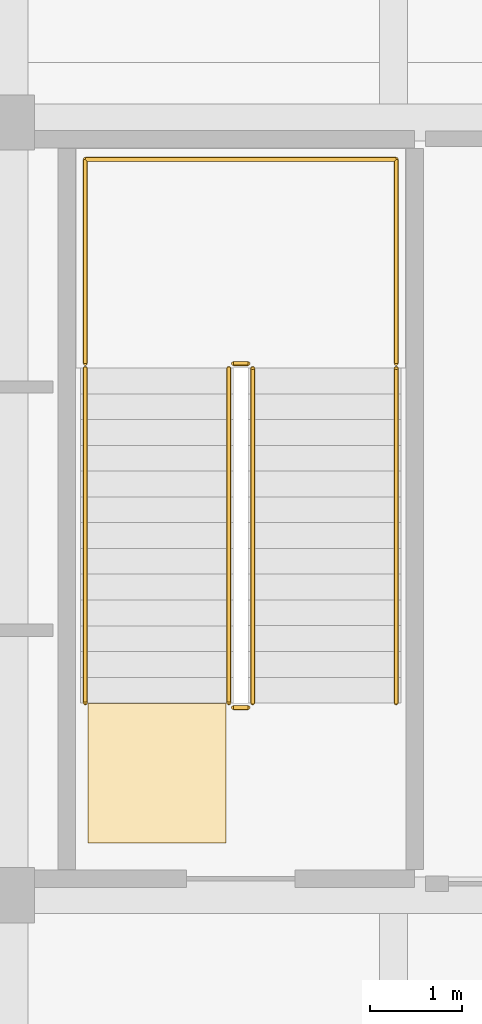
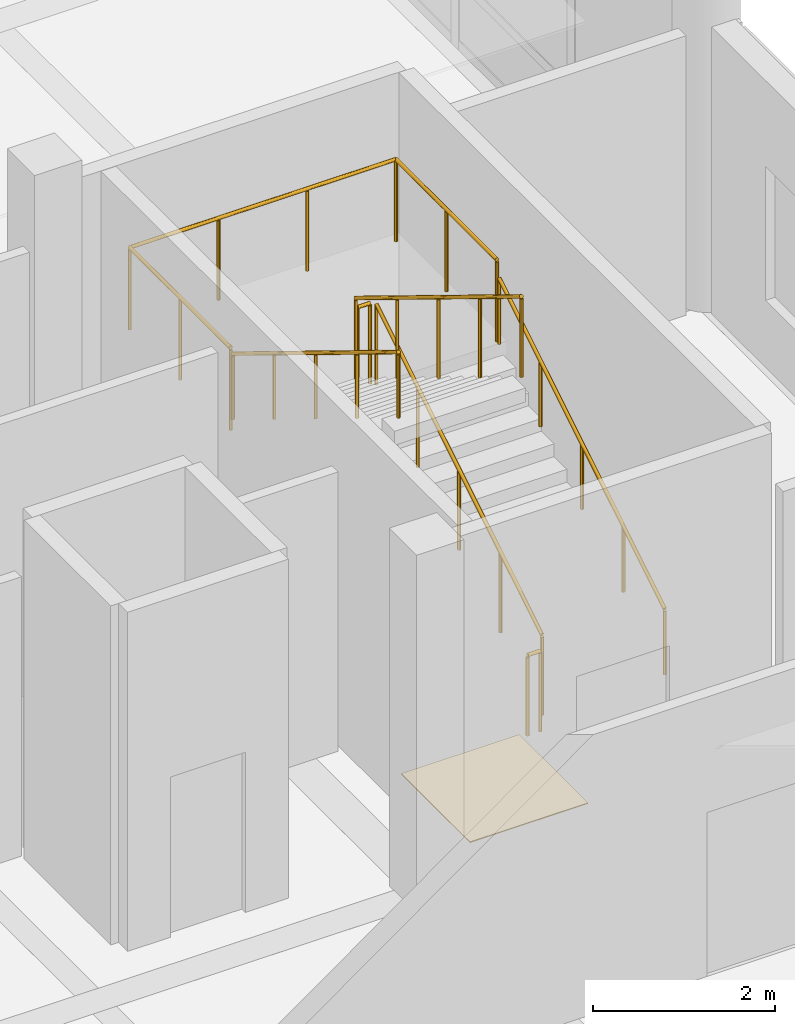
# One storey, part 88 of 122: 7 railings, 1 covering.
"""IFC4 building model written with IfcOpenShell, lengths in metres."""

from ifc_helpers import new_model, si_unit, direction, frame, origin, origin_2d, place, context, subcontext, project, spatial, polyline, circle, outline, extrude, material, layer, layer_set, type_object, element, save


model = new_model("IFC4")

# Units and contexts
model_context = context("Model", 3, precision=1e-05, world=origin(), true_north=direction((0.0, 1.0)))
body_context = subcontext(model_context, "Body", "Model", "MODEL_VIEW")
ifc_project = project(units=[si_unit("LENGTHUNIT", "METRE"), si_unit("AREAUNIT", "SQUARE_METRE"), si_unit("VOLUMEUNIT", "CUBIC_METRE"), si_unit("PLANEANGLEUNIT", "RADIAN"), si_unit("MASSUNIT", "GRAM", prefix="KILO")], contexts=[model_context])

# Site, building, storey
site_placement = place(None, origin())
site = spatial("IfcSite", under=ifc_project, at=site_placement, CompositionType="ELEMENT")
building_placement = place(site_placement, origin())
building = spatial("IfcBuilding", under=site, at=building_placement, Name="Telukmera Botanical Conservatory", CompositionType="ELEMENT")
storey_placement = place(building_placement, frame((0.0, 0.0, 10.199951171875)))
storey = spatial("IfcBuildingStorey", under=building, at=storey_placement, Name="L02", CompositionType="ELEMENT", Elevation=10.199951171875)

# Covering
ifc_material_1 = material(Name="Honed granite non-slip flooring", Category="masonry")
ifc_layer = layer(ifc_material_1, 0.011962890625)
ifc_layer_set = layer_set([ifc_layer], Name="Honed granite non-slip flooring")
covering_type = type_object("IfcCoveringType", Name="COV-FLR-12", PredefinedType="FLOORING", material=ifc_layer_set)
covering_placement = place(storey_placement, origin())
element("IfcCovering", 1, at=covering_placement, inside=storey, type_object=covering_type, Name="L02 ST3 Non-Slip Stair Landing Finish", PredefinedType="FLOORING", context=body_context, shape_type="SweptSolid", body=[
    extrude(outline(polyline([(35.97998046875, 26.570068359375), (35.97998046875, 28.0849609375), (34.47998046875, 28.0849609375), (34.47998046875, 26.570068359375), (35.97998046875, 26.570068359375)])), origin(), (0.0, 0.0, 1.0), 0.011962890625),
])

# Railings
ifc_material_2 = material(Name="Steel S355", Category="steel")
railing_type_1 = type_object("IfcRailingType", Name="RL-GUARD-1100", PredefinedType="GUARDRAIL", material=ifc_material_2)
railing_1_placement = place(storey_placement, frame((36.27001953125, 28.090087890625, 0.17138671875)))
element("IfcRailing", 2, at=railing_1_placement, inside=storey, type_object=railing_type_1, Name="L02 ST3 stair guard 1", PredefinedType="GUARDRAIL", context=body_context, shape_type="SweptSolid", body=[
    extrude(circle(Radius=0.02392578125, at=origin_2d()), frame((0.0, 0.0, 1.076171875), z_axis=(0.0, 0.852824790078, 0.522197163366), x_axis=(-1.0, 0.0, 0.0)), (0.0, 0.0, 1.0), 4.26806640625),
    extrude(circle(Radius=0.02099609375, at=origin_2d()), origin(), (0.0, 0.0, 1.0), 1.052001953125),
    extrude(circle(Radius=0.02099609375, at=origin_2d()), frame((0.0, 0.909912109375, 0.55712890625)), (0.0, 0.0, 1.0), 1.052001953125),
    extrude(circle(Radius=0.02099609375, at=origin_2d()), frame((0.0, 1.81982421875, 1.1142578125)), (0.0, 0.0, 1.0), 1.052001953125),
    extrude(circle(Radius=0.02099609375, at=origin_2d()), frame((0.0, 2.72998046875, 1.671630859375)), (0.0, 0.0, 1.0), 1.052001953125),
    extrude(circle(Radius=0.02099609375, at=origin_2d()), frame((0.0, 3.639892578125, 2.228759765625)), (0.0, 0.0, 1.0), 1.052001953125),
])
railing_2_placement = place(storey_placement, frame((36.219970703125, 31.780029296875, 2.400146484375)))
element("IfcRailing", 3, at=railing_2_placement, inside=storey, type_object=railing_type_1, Name="L02 ST3 stair guard 2", PredefinedType="GUARDRAIL", context=body_context, shape_type="SweptSolid", body=[
    extrude(circle(Radius=0.02392578125, at=origin_2d()), frame((0.0, 0.0, 1.076171875), z_axis=(-1.0, 0.0, 0.0), x_axis=(0.0, -1.0, 0.0)), (0.0, 0.0, 1.0), 0.159912109375),
    extrude(circle(Radius=0.02099609375, at=origin_2d()), origin(), (0.0, 0.0, 1.0), 1.052001953125),
    extrude(circle(Radius=0.02099609375, at=origin_2d()), frame((-0.159912109375, 0.0, 0.0)), (0.0, 0.0, 1.0), 1.052001953125),
])
railing_3_placement = place(storey_placement, frame((36.010009765625, 31.72998046875, 2.571533203125)))
element("IfcRailing", 4, at=railing_3_placement, inside=storey, type_object=railing_type_1, Name="L02 ST3 stair guard 3", PredefinedType="GUARDRAIL", context=body_context, shape_type="SweptSolid", body=[
    extrude(circle(Radius=0.02392578125, at=origin_2d()), frame((0.0, 0.0, 1.076171875), z_axis=(0.0, -0.852850264322, 0.5221555579), x_axis=(1.0, 0.0, 0.0)), (0.0, 0.0, 1.0), 4.267822265625),
    extrude(circle(Radius=0.02099609375, at=origin_2d()), origin(), (0.0, 0.0, 1.0), 1.052001953125),
    extrude(circle(Radius=0.02099609375, at=origin_2d()), frame((0.0, -0.909912109375, 0.55712890625)), (0.0, 0.0, 1.0), 1.052001953125),
    extrude(circle(Radius=0.02099609375, at=origin_2d()), frame((0.0, -1.81982421875, 1.1142578125)), (0.0, 0.0, 1.0), 1.052001953125),
    extrude(circle(Radius=0.02099609375, at=origin_2d()), frame((0.0, -2.72998046875, 1.67138671875)), (0.0, 0.0, 1.0), 1.052001953125),
    extrude(circle(Radius=0.02099609375, at=origin_2d()), frame((0.0, -3.639892578125, 2.228515625)), (0.0, 0.0, 1.0), 1.052001953125),
])
railing_4_placement = place(storey_placement, frame((36.219970703125, 28.0400390625, 0.0)))
element("IfcRailing", 5, at=railing_4_placement, inside=storey, type_object=railing_type_1, Name="L02 ST3 stair guard 4", PredefinedType="GUARDRAIL", context=body_context, shape_type="SweptSolid", body=[
    extrude(circle(Radius=0.02392578125, at=origin_2d()), frame((0.0, 0.0, 1.076171875), z_axis=(-1.0, 0.0, 0.0), x_axis=(0.0, -1.0, 0.0)), (0.0, 0.0, 1.0), 0.159912109375),
    extrude(circle(Radius=0.02099609375, at=origin_2d()), origin(), (0.0, 0.0, 1.0), 1.052001953125),
    extrude(circle(Radius=0.02099609375, at=origin_2d()), frame((-0.159912109375, 0.0, 0.0)), (0.0, 0.0, 1.0), 1.052001953125),
])
railing_5_placement = place(storey_placement, frame((37.830078125, 31.780029296875, 2.400146484375)))
element("IfcRailing", 6, at=railing_5_placement, inside=storey, type_object=railing_type_1, Name="L02 ST3 half-landing perimeter guard 1", PredefinedType="GUARDRAIL", context=body_context, shape_type="SweptSolid", body=[
    extrude(circle(Radius=0.02392578125, at=origin_2d()), frame((0.0, 0.0, 1.09619140625), z_axis=(0.0, 1.0, 0.0), x_axis=(-1.0, 0.0, 0.0)), (0.0, 0.0, 1.0), 2.219970703125),
    extrude(circle(Radius=0.02392578125, at=origin_2d()), frame((0.0, 2.219970703125, 1.09619140625), z_axis=(-1.0, 0.0, 0.0), x_axis=(0.0, -1.0, 0.0)), (0.0, 0.0, 1.0), 3.380126953125),
    extrude(circle(Radius=0.02392578125, at=origin_2d()), frame((-3.380126953125, 2.219970703125, 1.09619140625), z_axis=(0.0, -1.0, 0.0), x_axis=(1.0, 0.0, 0.0)), (0.0, 0.0, 1.0), 2.219970703125),
    extrude(circle(Radius=0.02099609375, at=origin_2d()), origin(), (0.0, 0.0, 1.0), 1.072021484375),
    extrude(circle(Radius=0.02099609375, at=origin_2d()), frame((0.0, 1.10986328125, 0.0)), (0.0, 0.0, 1.0), 1.072021484375),
    extrude(circle(Radius=0.02099609375, at=origin_2d()), frame((0.0, 2.219970703125, 0.0)), (0.0, 0.0, 1.0), 1.072021484375),
    extrude(circle(Radius=0.02099609375, at=origin_2d()), frame((-1.126708984375, 2.219970703125, 0.0)), (0.0, 0.0, 1.0), 1.072021484375),
    extrude(circle(Radius=0.02099609375, at=origin_2d()), frame((-2.25341796875, 2.219970703125, 0.0)), (0.0, 0.0, 1.0), 1.072021484375),
    extrude(circle(Radius=0.02099609375, at=origin_2d()), frame((-3.380126953125, 2.219970703125, 0.0)), (0.0, 0.0, 1.0), 1.072021484375),
    extrude(circle(Radius=0.02099609375, at=origin_2d()), frame((-3.380126953125, 1.10986328125, 0.0)), (0.0, 0.0, 1.0), 1.072021484375),
    extrude(circle(Radius=0.02099609375, at=origin_2d()), frame((-3.380126953125, 0.0, 0.0)), (0.0, 0.0, 1.0), 1.072021484375),
])
ifc_material_3 = material(Name="Stainless steel 316", Category="steel")
railing_type_2 = type_object("IfcRailingType", Name="RL-HAND-900", PredefinedType="HANDRAIL", material=ifc_material_3)
railing_6_placement = place(storey_placement, frame((37.830078125, 28.090087890625, 0.17138671875)))
element("IfcRailing", 7, at=railing_6_placement, inside=storey, type_object=railing_type_2, Name="L02 ST3 stair handrail 1", PredefinedType="HANDRAIL", context=body_context, shape_type="SweptSolid", body=[
    extrude(circle(Radius=0.02392578125, at=origin_2d()), frame((0.0, 0.0, 0.8759765625), z_axis=(0.0, 0.852824790078, 0.522197163366), x_axis=(-1.0, 0.0, 0.0)), (0.0, 0.0, 1.0), 4.26806640625),
    extrude(circle(Radius=0.02099609375, at=origin_2d()), origin(), (0.0, 0.0, 1.0), 0.851806640625),
    extrude(circle(Radius=0.02099609375, at=origin_2d()), frame((0.0, 0.909912109375, 0.55712890625)), (0.0, 0.0, 1.0), 0.851806640625),
    extrude(circle(Radius=0.02099609375, at=origin_2d()), frame((0.0, 1.81982421875, 1.1142578125)), (0.0, 0.0, 1.0), 0.851806640625),
    extrude(circle(Radius=0.02099609375, at=origin_2d()), frame((0.0, 2.72998046875, 1.671630859375)), (0.0, 0.0, 1.0), 0.851806640625),
    extrude(circle(Radius=0.02099609375, at=origin_2d()), frame((0.0, 3.639892578125, 2.228759765625)), (0.0, 0.0, 1.0), 0.851806640625),
])
railing_7_placement = place(storey_placement, frame((34.449951171875, 31.72998046875, 2.571533203125)))
element("IfcRailing", 8, at=railing_7_placement, inside=storey, type_object=railing_type_2, Name="L02 ST3 stair handrail 2", PredefinedType="HANDRAIL", context=body_context, shape_type="SweptSolid", body=[
    extrude(circle(Radius=0.02392578125, at=origin_2d()), frame((0.0, 0.0, 0.8759765625), z_axis=(0.0, -0.852850264322, 0.5221555579), x_axis=(1.0, 0.0, 0.0)), (0.0, 0.0, 1.0), 4.267822265625),
    extrude(circle(Radius=0.02099609375, at=origin_2d()), origin(), (0.0, 0.0, 1.0), 0.851806640625),
    extrude(circle(Radius=0.02099609375, at=origin_2d()), frame((0.0, -0.909912109375, 0.55712890625)), (0.0, 0.0, 1.0), 0.851806640625),
    extrude(circle(Radius=0.02099609375, at=origin_2d()), frame((0.0, -1.81982421875, 1.1142578125)), (0.0, 0.0, 1.0), 0.851806640625),
    extrude(circle(Radius=0.02099609375, at=origin_2d()), frame((0.0, -2.72998046875, 1.67138671875)), (0.0, 0.0, 1.0), 0.851806640625),
    extrude(circle(Radius=0.02099609375, at=origin_2d()), frame((0.0, -3.639892578125, 2.228515625)), (0.0, 0.0, 1.0), 0.851806640625),
])

save(model, "model.ifc")
